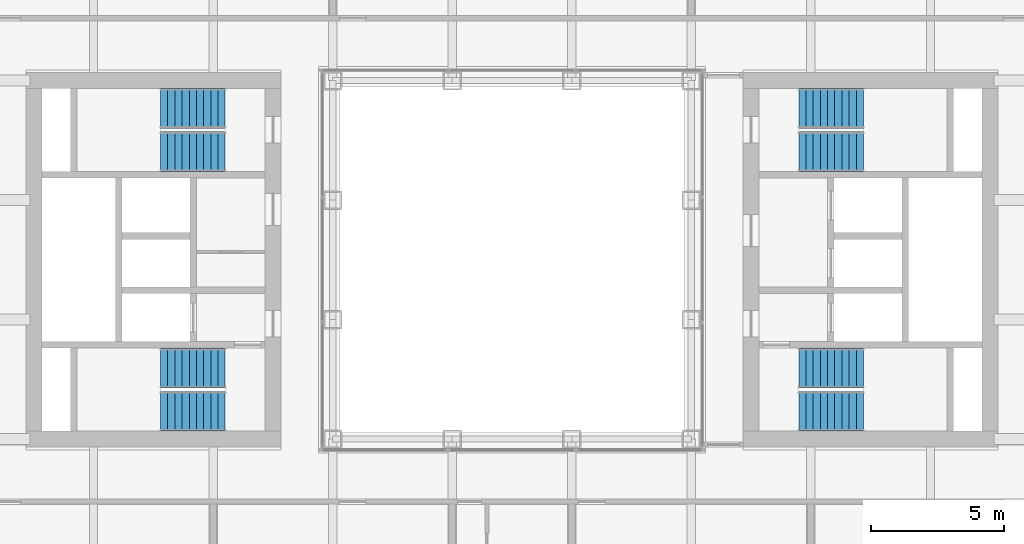
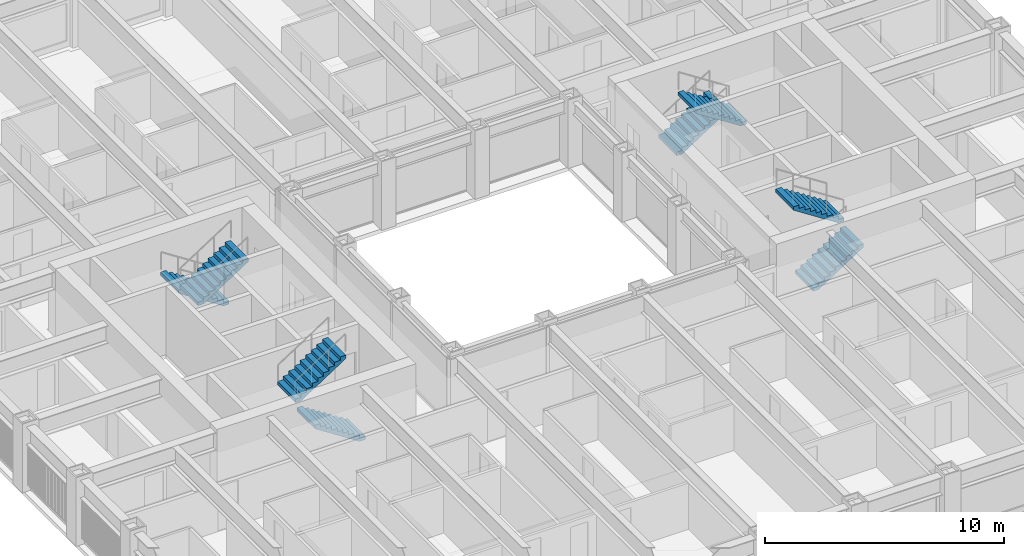
# One storey, part 16 of 21: 8 stair flights, 4 elements without a shape of their own.
"""IFC4 building model written with IfcOpenShell, lengths in metres."""

from ifc_helpers import new_model, si_unit, direction, frame, origin, place, context, subcontext, project, spatial, polyline, outline, extrude, material, type_object, element, aggregate, save


model = new_model("IFC4")

# Units and contexts
model_context = context("Model", 3, precision=1e-05, world=origin(), true_north=direction((0.0, 1.0)))
body_context = subcontext(model_context, "Body", "Model", "MODEL_VIEW")
ifc_project = project(units=[si_unit("LENGTHUNIT", "METRE"), si_unit("AREAUNIT", "SQUARE_METRE"), si_unit("VOLUMEUNIT", "CUBIC_METRE"), si_unit("PLANEANGLEUNIT", "RADIAN"), si_unit("MASSUNIT", "GRAM", prefix="KILO")], contexts=[model_context])

# Site, building, storey
site_placement = place(None, origin())
site = spatial("IfcSite", under=ifc_project, at=site_placement, CompositionType="ELEMENT")
building_placement = place(site_placement, origin())
building = spatial("IfcBuilding", under=site, at=building_placement, Name="Msasa Ring Tower", CompositionType="ELEMENT")
storey_placement = place(building_placement, frame((0.0, 0.0, 68.5)))
storey = spatial("IfcBuildingStorey", under=building, at=storey_placement, Name="L17", CompositionType="ELEMENT", Elevation=68.5)

# Stair, stair flights
ifc_material_1 = material(Name="Concrete C40/50", Category="concrete")
stair_type = type_object("IfcStairType", Name="STC CORE STAIR 20 RISERS 175", PredefinedType="HALF_TURN_STAIR", material=ifc_material_1)
stair_1_placement = place(storey_placement, origin())
stair_1 = element("IfcStair", 1, at=stair_1_placement, inside=storey, type_object=stair_type, Name="Core stair SEA L17", PredefinedType="HALF_TURN_STAIR")
ifc_material_2 = material(Name="Concrete C40/50", Category="concrete")
stair_flight_type = type_object("IfcStairFlightType", Name="ST12 CORE STAIR FLIGHT 1500 10 RISERS 175", PredefinedType="STRAIGHT", material=ifc_material_2)
stair_flight_1_placement = place(storey_placement, frame((10.800048828125, -5.699951171875, 0.0), z_axis=(0.0, 0.0, 1.0), x_axis=(1.0, 0.0, 0.0)))
stair_flight_1 = element("IfcStairFlight", 2, at=stair_flight_1_placement, type_object=stair_flight_type, Name="SEA flight 1", NumberOfRisers=10, NumberOfTreads=9, PredefinedType="STRAIGHT", RiserHeight=0.175, TreadLength=0.27, context=body_context, shape_type="SweptSolid", body=[
    extrude(outline(polyline([(0.0, 0.0), (0.0, 0.175048828125), (0.27001953125, 0.175048828125), (0.27001953125, 0.35009765625), (0.5400390625, 0.35009765625), (0.5400390625, 0.52490234375), (0.81005859375, 0.52490234375), (0.81005859375, 0.699951171875), (1.080078125, 0.699951171875), (1.080078125, 0.875), (1.35009765625, 0.875), (1.35009765625, 1.050048828125), (1.6201171875, 1.050048828125), (1.6201171875, 1.22509765625), (1.889892578125, 1.22509765625), (1.889892578125, 1.39990234375), (2.159912109375, 1.39990234375), (2.159912109375, 1.574951171875), (2.429931640625, 1.574951171875), (2.429931640625, 1.75), (2.429931640625, 1.396484375), (0.275634765625, 0.0), (0.0, 0.0)])), frame((0.0, 0.75, 0.0), z_axis=(0.0, -1.0, 0.0), x_axis=(1.0, 0.0, 0.0)), (0.0, 0.0, 1.0), 1.5),
])
stair_flight_2_placement = place(storey_placement, frame((13.22998046875, -4.074951171875, 1.75), z_axis=(0.0, 0.0, 1.0), x_axis=(-1.0, 0.0, 0.0)))
stair_flight_2 = element("IfcStairFlight", 3, at=stair_flight_2_placement, type_object=stair_flight_type, Name="SEA flight 2", NumberOfRisers=10, NumberOfTreads=9, PredefinedType="STRAIGHT", RiserHeight=0.175, TreadLength=0.27, context=body_context, shape_type="SweptSolid", body=[
    extrude(outline(polyline([(0.0, 0.0), (0.0, 0.175048828125), (0.27001953125, 0.175048828125), (0.27001953125, 0.35009765625), (0.5400390625, 0.35009765625), (0.5400390625, 0.52490234375), (0.81005859375, 0.52490234375), (0.81005859375, 0.699951171875), (1.080078125, 0.699951171875), (1.080078125, 0.875), (1.35009765625, 0.875), (1.35009765625, 1.050048828125), (1.6201171875, 1.050048828125), (1.6201171875, 1.22509765625), (1.889892578125, 1.22509765625), (1.889892578125, 1.39990234375), (2.159912109375, 1.39990234375), (2.159912109375, 1.574951171875), (2.429931640625, 1.574951171875), (2.429931640625, 1.75), (2.429931640625, 1.396484375), (0.275634765625, 0.0), (0.0, 0.0)])), frame((0.0, 0.75, 0.0), z_axis=(0.0, -1.0, 0.0), x_axis=(1.0, 0.0, 0.0)), (0.0, 0.0, 1.0), 1.5),
])
aggregate(stair_1, [stair_flight_1, stair_flight_2])

stair_2_placement = place(storey_placement, origin())
stair_2 = element("IfcStair", 4, at=stair_2_placement, inside=storey, type_object=stair_type, Name="Core stair SEB L17", PredefinedType="HALF_TURN_STAIR")
stair_flight_3_placement = place(storey_placement, frame((10.800048828125, 5.699951171875, 0.0), z_axis=(0.0, 0.0, 1.0), x_axis=(1.0, 0.0, 0.0)))
stair_flight_3 = element("IfcStairFlight", 5, at=stair_flight_3_placement, type_object=stair_flight_type, Name="SEB flight 1", NumberOfRisers=10, NumberOfTreads=9, PredefinedType="STRAIGHT", RiserHeight=0.175, TreadLength=0.27, context=body_context, shape_type="SweptSolid", body=[
    extrude(outline(polyline([(0.0, 0.0), (0.0, 0.175048828125), (0.27001953125, 0.175048828125), (0.27001953125, 0.35009765625), (0.5400390625, 0.35009765625), (0.5400390625, 0.52490234375), (0.81005859375, 0.52490234375), (0.81005859375, 0.699951171875), (1.080078125, 0.699951171875), (1.080078125, 0.875), (1.35009765625, 0.875), (1.35009765625, 1.050048828125), (1.6201171875, 1.050048828125), (1.6201171875, 1.22509765625), (1.889892578125, 1.22509765625), (1.889892578125, 1.39990234375), (2.159912109375, 1.39990234375), (2.159912109375, 1.574951171875), (2.429931640625, 1.574951171875), (2.429931640625, 1.75), (2.429931640625, 1.396484375), (0.275634765625, 0.0), (0.0, 0.0)])), frame((0.0, 0.75, 0.0), z_axis=(0.0, -1.0, 0.0), x_axis=(1.0, 0.0, 0.0)), (0.0, 0.0, 1.0), 1.5),
])
stair_flight_4_placement = place(storey_placement, frame((13.22998046875, 4.074951171875, 1.75), z_axis=(0.0, 0.0, 1.0), x_axis=(-1.0, 0.0, 0.0)))
stair_flight_4 = element("IfcStairFlight", 6, at=stair_flight_4_placement, type_object=stair_flight_type, Name="SEB flight 2", NumberOfRisers=10, NumberOfTreads=9, PredefinedType="STRAIGHT", RiserHeight=0.175, TreadLength=0.27, context=body_context, shape_type="SweptSolid", body=[
    extrude(outline(polyline([(0.0, 0.0), (0.0, 0.175048828125), (0.27001953125, 0.175048828125), (0.27001953125, 0.35009765625), (0.5400390625, 0.35009765625), (0.5400390625, 0.52490234375), (0.81005859375, 0.52490234375), (0.81005859375, 0.699951171875), (1.080078125, 0.699951171875), (1.080078125, 0.875), (1.35009765625, 0.875), (1.35009765625, 1.050048828125), (1.6201171875, 1.050048828125), (1.6201171875, 1.22509765625), (1.889892578125, 1.22509765625), (1.889892578125, 1.39990234375), (2.159912109375, 1.39990234375), (2.159912109375, 1.574951171875), (2.429931640625, 1.574951171875), (2.429931640625, 1.75), (2.429931640625, 1.396484375), (0.275634765625, 0.0), (0.0, 0.0)])), frame((0.0, 0.75, 0.0), z_axis=(0.0, -1.0, 0.0), x_axis=(1.0, 0.0, 0.0)), (0.0, 0.0, 1.0), 1.5),
])
aggregate(stair_2, [stair_flight_3, stair_flight_4])

stair_3_placement = place(storey_placement, origin())
stair_3 = element("IfcStair", 7, at=stair_3_placement, inside=storey, type_object=stair_type, Name="Core stair SWA L17", PredefinedType="HALF_TURN_STAIR")
stair_flight_5_placement = place(storey_placement, frame((-10.800048828125, -5.699951171875, 0.0), z_axis=(0.0, 0.0, 1.0), x_axis=(-1.0, 0.0, 0.0)))
stair_flight_5 = element("IfcStairFlight", 8, at=stair_flight_5_placement, type_object=stair_flight_type, Name="SWA flight 1", NumberOfRisers=10, NumberOfTreads=9, PredefinedType="STRAIGHT", RiserHeight=0.175, TreadLength=0.27, context=body_context, shape_type="SweptSolid", body=[
    extrude(outline(polyline([(0.0, 0.0), (0.0, 0.175048828125), (0.27001953125, 0.175048828125), (0.27001953125, 0.35009765625), (0.5400390625, 0.35009765625), (0.5400390625, 0.52490234375), (0.81005859375, 0.52490234375), (0.81005859375, 0.699951171875), (1.080078125, 0.699951171875), (1.080078125, 0.875), (1.35009765625, 0.875), (1.35009765625, 1.050048828125), (1.6201171875, 1.050048828125), (1.6201171875, 1.22509765625), (1.889892578125, 1.22509765625), (1.889892578125, 1.39990234375), (2.159912109375, 1.39990234375), (2.159912109375, 1.574951171875), (2.429931640625, 1.574951171875), (2.429931640625, 1.75), (2.429931640625, 1.396484375), (0.275634765625, 0.0), (0.0, 0.0)])), frame((0.0, 0.75, 0.0), z_axis=(0.0, -1.0, 0.0), x_axis=(1.0, 0.0, 0.0)), (0.0, 0.0, 1.0), 1.5),
])
stair_flight_6_placement = place(storey_placement, frame((-13.22998046875, -4.074951171875, 1.75), z_axis=(0.0, 0.0, 1.0), x_axis=(1.0, 0.0, 0.0)))
stair_flight_6 = element("IfcStairFlight", 9, at=stair_flight_6_placement, type_object=stair_flight_type, Name="SWA flight 2", NumberOfRisers=10, NumberOfTreads=9, PredefinedType="STRAIGHT", RiserHeight=0.175, TreadLength=0.27, context=body_context, shape_type="SweptSolid", body=[
    extrude(outline(polyline([(0.0, 0.0), (0.0, 0.175048828125), (0.27001953125, 0.175048828125), (0.27001953125, 0.35009765625), (0.5400390625, 0.35009765625), (0.5400390625, 0.52490234375), (0.81005859375, 0.52490234375), (0.81005859375, 0.699951171875), (1.080078125, 0.699951171875), (1.080078125, 0.875), (1.35009765625, 0.875), (1.35009765625, 1.050048828125), (1.6201171875, 1.050048828125), (1.6201171875, 1.22509765625), (1.889892578125, 1.22509765625), (1.889892578125, 1.39990234375), (2.159912109375, 1.39990234375), (2.159912109375, 1.574951171875), (2.429931640625, 1.574951171875), (2.429931640625, 1.75), (2.429931640625, 1.396484375), (0.275634765625, 0.0), (0.0, 0.0)])), frame((0.0, 0.75, 0.0), z_axis=(0.0, -1.0, 0.0), x_axis=(1.0, 0.0, 0.0)), (0.0, 0.0, 1.0), 1.5),
])
aggregate(stair_3, [stair_flight_5, stair_flight_6])

stair_4_placement = place(storey_placement, origin())
stair_4 = element("IfcStair", 10, at=stair_4_placement, inside=storey, type_object=stair_type, Name="Core stair SWB L17", PredefinedType="HALF_TURN_STAIR")
stair_flight_7_placement = place(storey_placement, frame((-10.800048828125, 5.699951171875, 0.0), z_axis=(0.0, 0.0, 1.0), x_axis=(-1.0, 0.0, 0.0)))
stair_flight_7 = element("IfcStairFlight", 11, at=stair_flight_7_placement, type_object=stair_flight_type, Name="SWB flight 1", NumberOfRisers=10, NumberOfTreads=9, PredefinedType="STRAIGHT", RiserHeight=0.175, TreadLength=0.27, context=body_context, shape_type="SweptSolid", body=[
    extrude(outline(polyline([(0.0, 0.0), (0.0, 0.175048828125), (0.27001953125, 0.175048828125), (0.27001953125, 0.35009765625), (0.5400390625, 0.35009765625), (0.5400390625, 0.52490234375), (0.81005859375, 0.52490234375), (0.81005859375, 0.699951171875), (1.080078125, 0.699951171875), (1.080078125, 0.875), (1.35009765625, 0.875), (1.35009765625, 1.050048828125), (1.6201171875, 1.050048828125), (1.6201171875, 1.22509765625), (1.889892578125, 1.22509765625), (1.889892578125, 1.39990234375), (2.159912109375, 1.39990234375), (2.159912109375, 1.574951171875), (2.429931640625, 1.574951171875), (2.429931640625, 1.75), (2.429931640625, 1.396484375), (0.275634765625, 0.0), (0.0, 0.0)])), frame((0.0, 0.75, 0.0), z_axis=(0.0, -1.0, 0.0), x_axis=(1.0, 0.0, 0.0)), (0.0, 0.0, 1.0), 1.5),
])
stair_flight_8_placement = place(storey_placement, frame((-13.22998046875, 4.074951171875, 1.75), z_axis=(0.0, 0.0, 1.0), x_axis=(1.0, 0.0, 0.0)))
stair_flight_8 = element("IfcStairFlight", 12, at=stair_flight_8_placement, type_object=stair_flight_type, Name="SWB flight 2", NumberOfRisers=10, NumberOfTreads=9, PredefinedType="STRAIGHT", RiserHeight=0.175, TreadLength=0.27, context=body_context, shape_type="SweptSolid", body=[
    extrude(outline(polyline([(0.0, 0.0), (0.0, 0.175048828125), (0.27001953125, 0.175048828125), (0.27001953125, 0.35009765625), (0.5400390625, 0.35009765625), (0.5400390625, 0.52490234375), (0.81005859375, 0.52490234375), (0.81005859375, 0.699951171875), (1.080078125, 0.699951171875), (1.080078125, 0.875), (1.35009765625, 0.875), (1.35009765625, 1.050048828125), (1.6201171875, 1.050048828125), (1.6201171875, 1.22509765625), (1.889892578125, 1.22509765625), (1.889892578125, 1.39990234375), (2.159912109375, 1.39990234375), (2.159912109375, 1.574951171875), (2.429931640625, 1.574951171875), (2.429931640625, 1.75), (2.429931640625, 1.396484375), (0.275634765625, 0.0), (0.0, 0.0)])), frame((0.0, 0.75, 0.0), z_axis=(0.0, -1.0, 0.0), x_axis=(1.0, 0.0, 0.0)), (0.0, 0.0, 1.0), 1.5),
])
aggregate(stair_4, [stair_flight_7, stair_flight_8])

save(model, "model.ifc")
